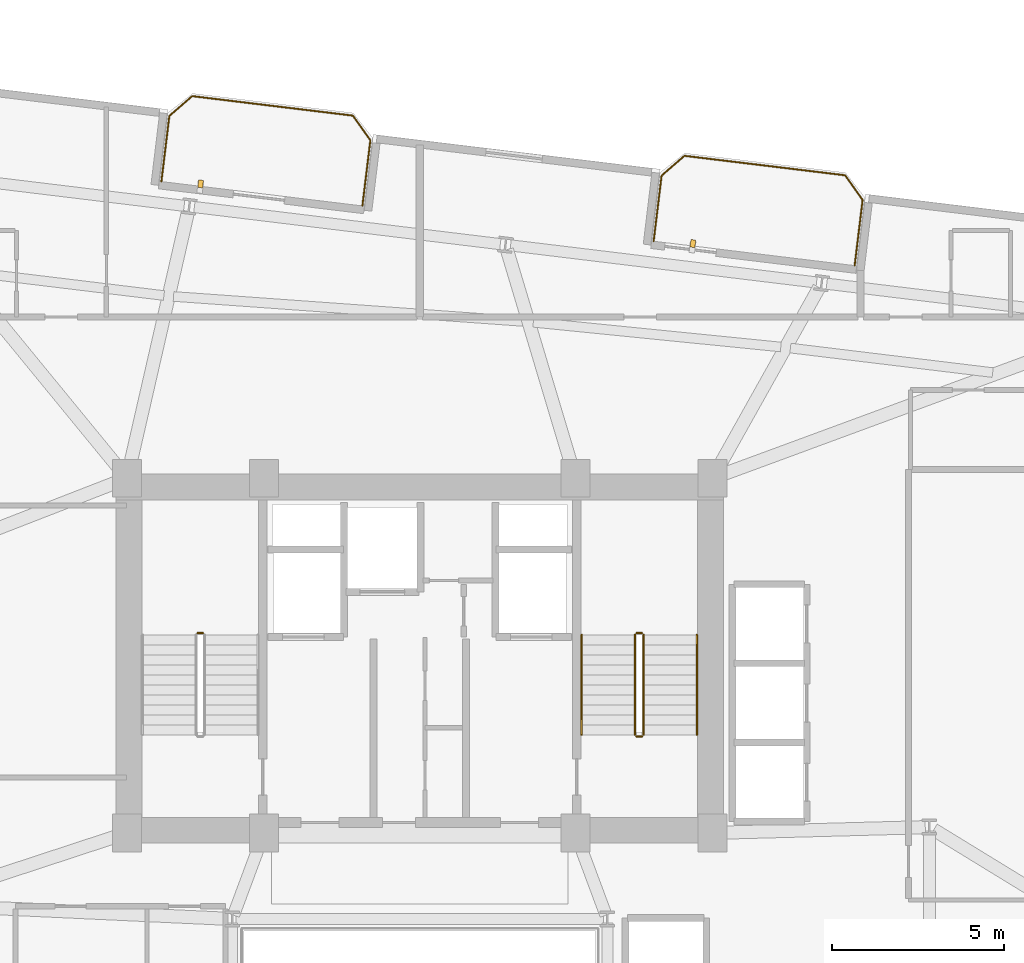
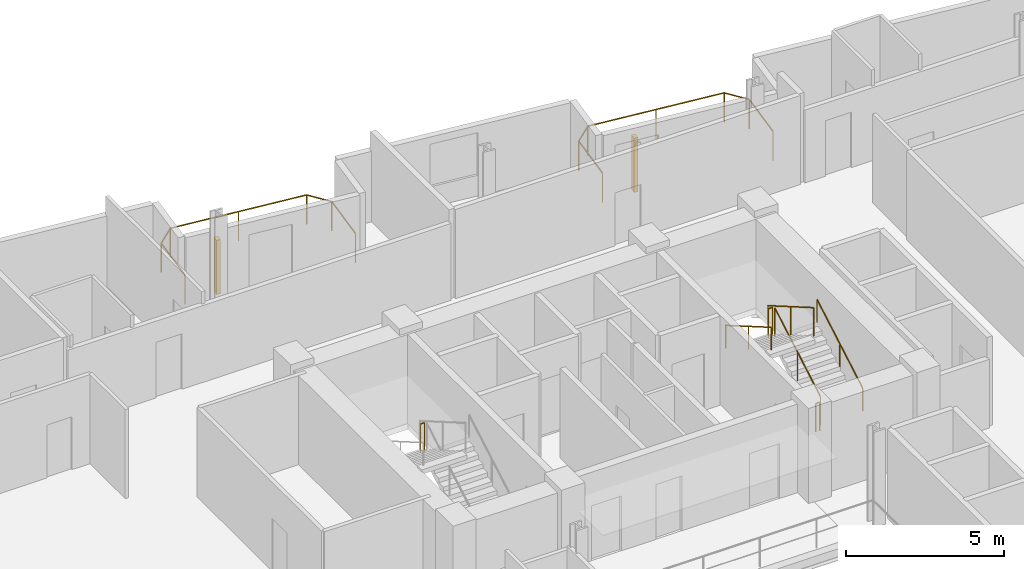
# One storey, part 26 of 26: 9 railings, 2 shading devices.
"""IFC4 building model written with IfcOpenShell, lengths in metres."""

from ifc_helpers import new_model, si_unit, direction, frame, origin, origin_2d, place, context, subcontext, project, spatial, rectangle, circle, extrude, source, transform, mapped, material, type_object, element, save


model = new_model("IFC4")

# Units and contexts
model_context = context("Model", 3, precision=1e-05, world=origin(), true_north=direction((0.0, 1.0)))
body_context = subcontext(model_context, "Body", "Model", "MODEL_VIEW")
ifc_project = project(units=[si_unit("LENGTHUNIT", "METRE"), si_unit("AREAUNIT", "SQUARE_METRE"), si_unit("VOLUMEUNIT", "CUBIC_METRE"), si_unit("PLANEANGLEUNIT", "RADIAN"), si_unit("MASSUNIT", "GRAM", prefix="KILO")], contexts=[model_context])

# Site, building, storey
site_placement = place(None, origin())
site = spatial("IfcSite", under=ifc_project, at=site_placement, CompositionType="ELEMENT")
building_placement = place(site_placement, origin())
building = spatial("IfcBuilding", under=site, at=building_placement, Name="Varnelok Gate Tower", CompositionType="ELEMENT")
storey_placement = place(building_placement, frame((0.0, 0.0, 151.300048828125)))
storey = spatial("IfcBuildingStorey", under=building, at=storey_placement, Name="L38", CompositionType="ELEMENT", Elevation=151.300048828125)

# Railings
ifc_material_1 = material(Name="Low-E Laminated Double Glazing IGU", Category="glass")
railing_type_1 = type_object("IfcRailingType", Name="RL-BALC-1150", PredefinedType="BALUSTRADE", material=ifc_material_1)
railing_1_placement = place(storey_placement, frame((31.697021484375, 47.66552734375, 0.0)))
element("IfcRailing", 1, at=railing_1_placement, inside=storey, type_object=railing_type_1, Name="L38 North Terrace Balustrade 3", PredefinedType="BALUSTRADE", context=body_context, shape_type="SweptSolid", body=[
    extrude(circle(Radius=0.02392578125, at=origin_2d()), frame((0.0, 0.0, 1.1259765625), z_axis=(0.120293392036, 0.992738384386, 0.0), x_axis=(-0.992738384386, 0.120293392036, 0.0)), (0.0, 0.0, 1.0), 1.919921875),
    extrude(circle(Radius=0.02392578125, at=origin_2d()), frame((0.23095703125, 1.906005859375, 1.1259765625), z_axis=(0.756422670136, 0.654083132411, 0.0), x_axis=(-0.654083132411, 0.756422670136, 0.0)), (0.0, 0.0, 1.0), 0.8779296875),
    extrude(circle(Radius=0.02392578125, at=origin_2d()), frame((0.89501953125, 2.480224609375, 1.1259765625), z_axis=(0.992730585037, -0.120357739811, 0.0), x_axis=(0.120357739811, 0.992730585037, 0.0)), (0.0, 0.0, 1.0), 4.699951171875),
    extrude(circle(Radius=0.02392578125, at=origin_2d()), frame((5.560791015625, 1.91455078125, 1.1259765625), z_axis=(0.578287426437, -0.81583310329, 0.0), x_axis=(0.81583310329, 0.578287426437, 0.0)), (0.0, 0.0, 1.0), 0.877685546875),
    extrude(circle(Radius=0.02392578125, at=origin_2d()), frame((6.068359375, 1.198486328125, 1.1259765625), z_axis=(-0.120418709125, -0.992723191274, 0.0), x_axis=(0.992723191274, -0.120418709125, 0.0)), (0.0, 0.0, 1.0), 1.919921875),
    extrude(circle(Radius=0.02099609375, at=origin_2d()), origin(), (0.0, 0.0, 1.0), 1.101806640625),
    extrude(circle(Radius=0.02099609375, at=origin_2d()), frame((0.23095703125, 1.906005859375, 0.0)), (0.0, 0.0, 1.0), 1.101806640625),
    extrude(circle(Radius=0.02099609375, at=origin_2d()), frame((0.89501953125, 2.480224609375, 0.0)), (0.0, 0.0, 1.0), 1.101806640625),
    extrude(circle(Radius=0.02099609375, at=origin_2d()), frame((3.22802734375, 2.197265625, 0.0)), (0.0, 0.0, 1.0), 1.101806640625),
    extrude(circle(Radius=0.02099609375, at=origin_2d()), frame((5.560791015625, 1.91455078125, 0.0)), (0.0, 0.0, 1.0), 1.101806640625),
    extrude(circle(Radius=0.02099609375, at=origin_2d()), frame((6.068359375, 1.198486328125, 0.0)), (0.0, 0.0, 1.0), 1.101806640625),
    extrude(circle(Radius=0.02099609375, at=origin_2d()), frame((5.837158203125, -0.70751953125, 0.0)), (0.0, 0.0, 1.0), 1.101806640625),
])
railing_2_placement = place(storey_placement, frame((45.992431640625, 45.9326171875, 0.0)))
element("IfcRailing", 2, at=railing_2_placement, inside=storey, type_object=railing_type_1, Name="L38 North Terrace Balustrade 4", PredefinedType="BALUSTRADE", context=body_context, shape_type="SweptSolid", body=[
    extrude(circle(Radius=0.02392578125, at=origin_2d()), frame((0.0, 0.0, 1.1259765625), z_axis=(0.120293392036, 0.992738384386, 0.0), x_axis=(-0.992738384386, 0.120293392036, 0.0)), (0.0, 0.0, 1.0), 1.919921875),
    extrude(circle(Radius=0.02392578125, at=origin_2d()), frame((0.23095703125, 1.906005859375, 1.1259765625), z_axis=(0.756422670136, 0.654083132411, 0.0), x_axis=(-0.654083132411, 0.756422670136, 0.0)), (0.0, 0.0, 1.0), 0.8779296875),
    extrude(circle(Radius=0.02392578125, at=origin_2d()), frame((0.89501953125, 2.480224609375, 1.1259765625), z_axis=(0.992730585037, -0.120357739811, 0.0), x_axis=(0.120357739811, 0.992730585037, 0.0)), (0.0, 0.0, 1.0), 4.699951171875),
    extrude(circle(Radius=0.02392578125, at=origin_2d()), frame((5.560791015625, 1.91455078125, 1.1259765625), z_axis=(0.57815621837, -0.815926091726, 0.0), x_axis=(0.815926091726, 0.57815621837, 0.0)), (0.0, 0.0, 1.0), 0.8779296875),
    extrude(circle(Radius=0.02392578125, at=origin_2d()), frame((6.068359375, 1.1982421875, 1.1259765625), z_axis=(-0.120418709125, -0.992723191274, 0.0), x_axis=(0.992723191274, -0.120418709125, 0.0)), (0.0, 0.0, 1.0), 1.919921875),
    extrude(circle(Radius=0.02099609375, at=origin_2d()), origin(), (0.0, 0.0, 1.0), 1.101806640625),
    extrude(circle(Radius=0.02099609375, at=origin_2d()), frame((0.23095703125, 1.906005859375, 0.0)), (0.0, 0.0, 1.0), 1.101806640625),
    extrude(circle(Radius=0.02099609375, at=origin_2d()), frame((0.89501953125, 2.480224609375, 0.0)), (0.0, 0.0, 1.0), 1.101806640625),
    extrude(circle(Radius=0.02099609375, at=origin_2d()), frame((3.22802734375, 2.197265625, 0.0)), (0.0, 0.0, 1.0), 1.101806640625),
    extrude(circle(Radius=0.02099609375, at=origin_2d()), frame((5.560791015625, 1.91455078125, 0.0)), (0.0, 0.0, 1.0), 1.101806640625),
    extrude(circle(Radius=0.02099609375, at=origin_2d()), frame((6.068359375, 1.1982421875, 0.0)), (0.0, 0.0, 1.0), 1.101806640625),
    extrude(circle(Radius=0.02099609375, at=origin_2d()), frame((5.837158203125, -0.707763671875, 0.0)), (0.0, 0.0, 1.0), 1.101806640625),
])
ifc_material_2 = material(Name="Brushed Stainless Steel AISI 316", Category="steel")
railing_type_2 = type_object("IfcRailingType", Name="RL-HANDRAIL-900", PredefinedType="HANDRAIL", material=ifc_material_2)
railing_3_placement = place(storey_placement, frame((47.25, 31.60009765625, 0.168212890625)))
element("IfcRailing", 3, at=railing_3_placement, inside=storey, type_object=railing_type_2, Name="L38 ST-2 stair handrail 1", PredefinedType="HANDRAIL", context=body_context, shape_type="SweptSolid", body=[
    extrude(circle(Radius=0.02392578125, at=origin_2d()), frame((0.0, 0.0, 0.8759765625), z_axis=(0.0, 0.86507038078, 0.501650512107), x_axis=(-1.0, 0.0, 0.0)), (0.0, 0.0, 1.0), 3.352294921875),
    extrude(circle(Radius=0.02099609375, at=origin_2d()), origin(), (0.0, 0.0, 1.0), 0.851806640625),
    extrude(circle(Radius=0.02099609375, at=origin_2d()), frame((0.0, 1.449951171875, 0.8408203125)), (0.0, 0.0, 1.0), 0.851806640625),
    extrude(circle(Radius=0.02099609375, at=origin_2d()), frame((0.0, 2.89990234375, 1.681640625)), (0.0, 0.0, 1.0), 0.851806640625),
])
railing_4_placement = place(storey_placement, frame((43.89990234375, 34.5, 2.01806640625)))
element("IfcRailing", 4, at=railing_4_placement, inside=storey, type_object=railing_type_2, Name="L38 ST-2 stair handrail 2", PredefinedType="HANDRAIL", context=body_context, shape_type="SweptSolid", body=[
    extrude(circle(Radius=0.02392578125, at=origin_2d()), frame((0.0, 0.0, 0.8759765625), z_axis=(0.0, -0.865038774852, 0.501705010941), x_axis=(1.0, 0.0, 0.0)), (0.0, 0.0, 1.0), 3.352294921875),
    extrude(circle(Radius=0.02099609375, at=origin_2d()), origin(), (0.0, 0.0, 1.0), 0.851806640625),
    extrude(circle(Radius=0.02099609375, at=origin_2d()), frame((0.0, -1.449951171875, 0.8408203125)), (0.0, 0.0, 1.0), 0.851806640625),
    extrude(circle(Radius=0.02099609375, at=origin_2d()), frame((0.0, -2.89990234375, 1.681884765625)), (0.0, 0.0, 1.0), 0.851806640625),
])
ifc_material_3 = material(Name="Galvanized Steel Grade S350GD", Category="steel")
railing_type_3 = type_object("IfcRailingType", Name="RL-STAIR-GUARD1120", PredefinedType="GUARDRAIL", material=ifc_material_3)
railing_5_placement = place(storey_placement, frame((32.89990234375, 34.550048828125, 1.849853515625)))
element("IfcRailing", 5, at=railing_5_placement, inside=storey, type_object=railing_type_3, Name="L38 ST-1 stair guard 2", PredefinedType="GUARDRAIL", context=body_context, shape_type="SweptSolid", body=[
    extrude(circle(Radius=0.02392578125, at=origin_2d()), frame((0.0, 0.0, 1.09619140625), z_axis=(-1.0, 0.0, 0.0), x_axis=(0.0, -1.0, 0.0)), (0.0, 0.0, 1.0), 0.14990234375),
    extrude(circle(Radius=0.02099609375, at=origin_2d()), origin(), (0.0, 0.0, 1.0), 1.072021484375),
    extrude(circle(Radius=0.02099609375, at=origin_2d()), frame((-0.14990234375, 0.0, 0.0)), (0.0, 0.0, 1.0), 1.072021484375),
])
railing_6_placement = place(storey_placement, frame((45.699951171875, 31.60009765625, 0.168212890625)))
element("IfcRailing", 6, at=railing_6_placement, inside=storey, type_object=railing_type_3, Name="L38 ST-2 stair guard 1", PredefinedType="GUARDRAIL", context=body_context, shape_type="SweptSolid", body=[
    extrude(circle(Radius=0.02392578125, at=origin_2d()), frame((0.0, 0.0, 1.09619140625), z_axis=(0.0, 0.86507038078, 0.501650512107), x_axis=(-1.0, 0.0, 0.0)), (0.0, 0.0, 1.0), 3.352294921875),
    extrude(circle(Radius=0.02099609375, at=origin_2d()), origin(), (0.0, 0.0, 1.0), 1.072021484375),
    extrude(circle(Radius=0.02099609375, at=origin_2d()), frame((0.0, 1.449951171875, 0.8408203125)), (0.0, 0.0, 1.0), 1.072021484375),
    extrude(circle(Radius=0.02099609375, at=origin_2d()), frame((0.0, 2.89990234375, 1.681640625)), (0.0, 0.0, 1.0), 1.072021484375),
])
railing_7_placement = place(storey_placement, frame((45.64990234375, 34.550048828125, 1.849853515625)))
element("IfcRailing", 7, at=railing_7_placement, inside=storey, type_object=railing_type_3, Name="L38 ST-2 stair guard 2", PredefinedType="GUARDRAIL", context=body_context, shape_type="SweptSolid", body=[
    extrude(circle(Radius=0.02392578125, at=origin_2d()), frame((0.0, 0.0, 1.09619140625), z_axis=(-1.0, 0.0, 0.0), x_axis=(0.0, -1.0, 0.0)), (0.0, 0.0, 1.0), 0.14990234375),
    extrude(circle(Radius=0.02099609375, at=origin_2d()), origin(), (0.0, 0.0, 1.0), 1.072021484375),
    extrude(circle(Radius=0.02099609375, at=origin_2d()), frame((-0.14990234375, 0.0, 0.0)), (0.0, 0.0, 1.0), 1.072021484375),
])
railing_8_placement = place(storey_placement, frame((45.449951171875, 34.5, 2.01806640625)))
element("IfcRailing", 8, at=railing_8_placement, inside=storey, type_object=railing_type_3, Name="L38 ST-2 stair guard 3", PredefinedType="GUARDRAIL", context=body_context, shape_type="SweptSolid", body=[
    extrude(circle(Radius=0.02392578125, at=origin_2d()), frame((0.0, 0.0, 1.09619140625), z_axis=(0.0, -0.865038774852, 0.501705010941), x_axis=(1.0, 0.0, 0.0)), (0.0, 0.0, 1.0), 3.352294921875),
    extrude(circle(Radius=0.02099609375, at=origin_2d()), origin(), (0.0, 0.0, 1.0), 1.072021484375),
    extrude(circle(Radius=0.02099609375, at=origin_2d()), frame((0.0, -1.449951171875, 0.8408203125)), (0.0, 0.0, 1.0), 1.072021484375),
    extrude(circle(Radius=0.02099609375, at=origin_2d()), frame((0.0, -2.89990234375, 1.681884765625)), (0.0, 0.0, 1.0), 1.072021484375),
])
railing_9_placement = place(storey_placement, frame((45.64990234375, 31.550048828125, 0.0)))
element("IfcRailing", 9, at=railing_9_placement, inside=storey, type_object=railing_type_3, Name="L38 ST-2 stair guard 4", PredefinedType="GUARDRAIL", context=body_context, shape_type="SweptSolid", body=[
    extrude(circle(Radius=0.02392578125, at=origin_2d()), frame((0.0, 0.0, 1.09619140625), z_axis=(-1.0, 0.0, 0.0), x_axis=(0.0, -1.0, 0.0)), (0.0, 0.0, 1.0), 0.14990234375),
    extrude(circle(Radius=0.02099609375, at=origin_2d()), origin(), (0.0, 0.0, 1.0), 1.072021484375),
    extrude(circle(Radius=0.02099609375, at=origin_2d()), frame((-0.14990234375, 0.0, 0.0)), (0.0, 0.0, 1.0), 1.072021484375),
])

# Shading devices
ifc_material_4 = material(Name="Glazed Architectural Terracotta Ceramic", Category="masonry")
shading_device_type = type_object("IfcShadingDeviceType", Name="SHD-TERRA-BAGUETTE", PredefinedType="USERDEFINED", material=ifc_material_4)
shared_shape = source(origin(), body_context, "Body", "SweptSolid", [
    extrude(rectangle(XDim=0.139892578125, YDim=0.219970703125, at=origin_2d()), origin(), (0.0, 0.0, 1.0), 2.10009765625),
])
for number, where, z_axis, x_axis, name in (
    (10, (32.837158203125, 47.597900390625, 0.099853515625), (0.0, 0.0, 1.0), (0.992732158755, -0.12034475881, 0.0), "L38 Terracotta Ceramic Baguette Sunscreen 3.1"),
    (11, (47.132568359375, 45.86474609375, 0.099853515625), (0.0, 0.0, 1.0), (0.992732158755, -0.12034475881, 0.0), "L38 Terracotta Ceramic Baguette Sunscreen 4.1"),
):
    element("IfcShadingDevice", number, at=place(storey_placement, frame(where, z_axis=z_axis, x_axis=x_axis)), inside=storey, type_object=shading_device_type, Name=name, ObjectType="BAGUETTE", PredefinedType="USERDEFINED", context=body_context, shape_type="MappedRepresentation", body=[
        mapped(shared_shape, transform((0.0, 0.0, 0.0), scale=1.0)),
    ])

save(model, "model.ifc")
